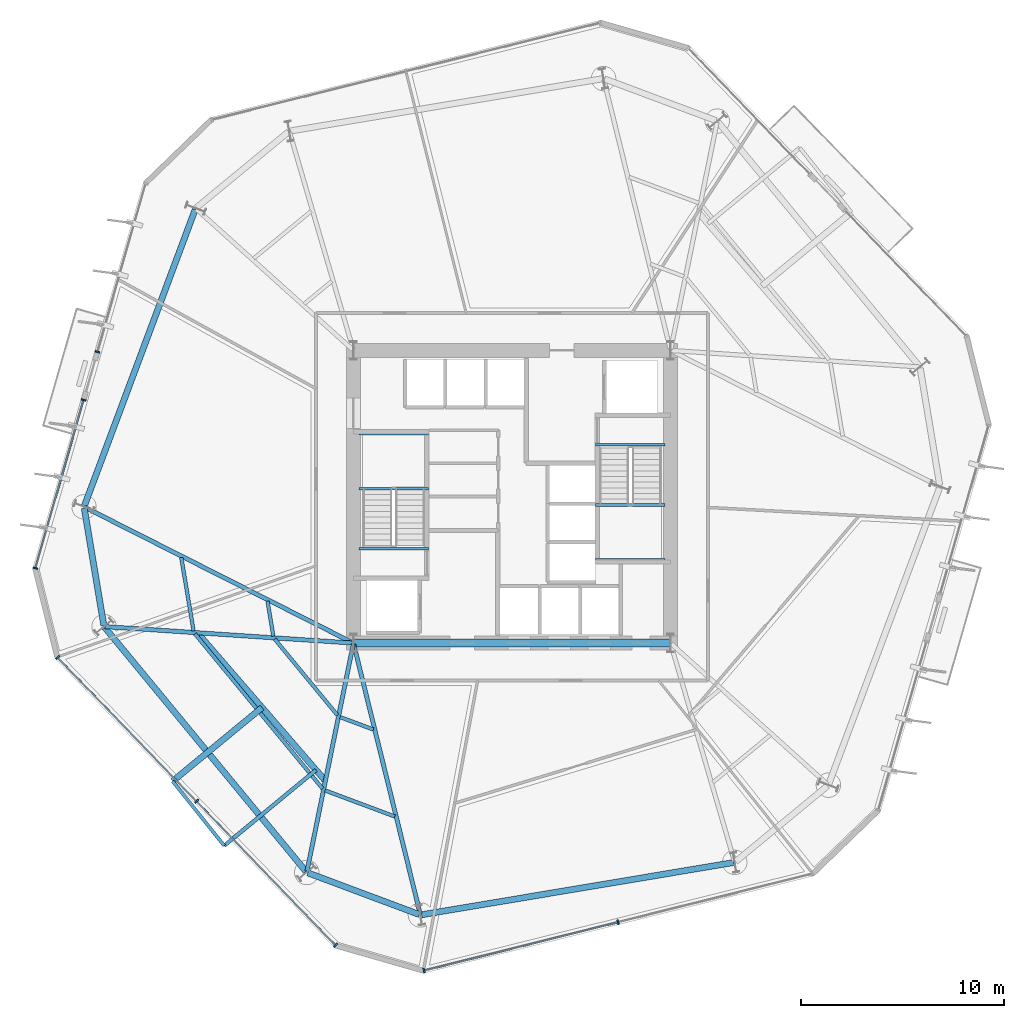
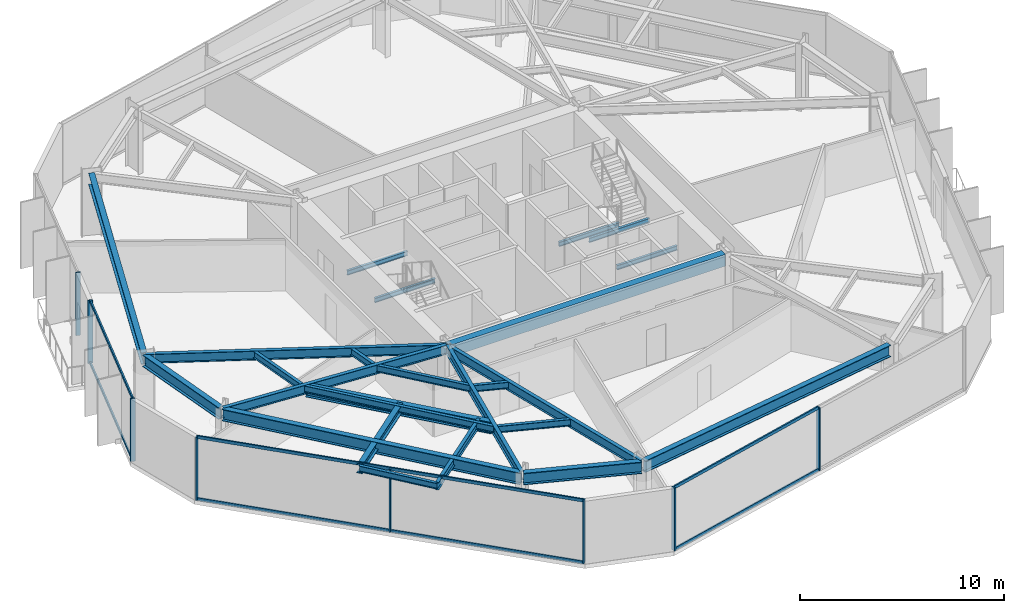
# One storey, part 2 of 10: 26 beams, 16 members, 4 elements without a shape of their own.
"""IFC4 building model written with IfcOpenShell, lengths in metres."""

from ifc_helpers import new_model, si_unit, direction, frame, origin, origin_2d, place, context, subcontext, project, spatial, rectangle, i_section, extrude, material, layer, layer_set, material_profile, profile_set, type_object, element, aggregate, save


model = new_model("IFC4")

# Units and contexts
model_context = context("Model", 3, precision=1e-05, world=origin(), true_north=direction((0.0, 1.0)))
body_context = subcontext(model_context, "Body", "Model", "MODEL_VIEW")
ifc_project = project(units=[si_unit("LENGTHUNIT", "METRE"), si_unit("AREAUNIT", "SQUARE_METRE"), si_unit("VOLUMEUNIT", "CUBIC_METRE"), si_unit("PLANEANGLEUNIT", "RADIAN"), si_unit("MASSUNIT", "GRAM", prefix="KILO")], contexts=[model_context])

# Site, building, storey
site_placement = place(None, origin())
site = spatial("IfcSite", under=ifc_project, at=site_placement, CompositionType="ELEMENT")
building_placement = place(site_placement, origin())
building = spatial("IfcBuilding", under=site, at=building_placement, Name="Kranzbogen Civic Tower", CompositionType="ELEMENT")
storey_placement = place(building_placement, frame((0.0, 0.0, 76.0)))
storey = spatial("IfcBuildingStorey", under=building, at=storey_placement, Name="L18", CompositionType="ELEMENT", Elevation=76.0)

# Beams
ifc_material_1 = material(Name="Steel S355", Category="steel")
ifc_material_profile_1 = material_profile(ifc_material_1, i_section(OverallWidth=0.18994140625, OverallDepth=0.449951171875, WebThickness=0.009521484375, FlangeThickness=0.0146484375, at=origin_2d()), Name="IPE 450")
ifc_profile_set_1 = profile_set([ifc_material_profile_1], Name="Steel S355")
beam_type_1 = type_object("IfcBeamType", Name="Braced Terrace Edge Beam IPE 450", PredefinedType="BEAM", material=ifc_profile_set_1)
beam_1_placement = place(storey_placement, frame((15.35791015625, 11.556884765625, 3.52490234375), z_axis=(-0.771570243404, -0.636144134213, 0.0), x_axis=(0.636144134213, -0.771570243404, 0.0)))
element("IfcBeam", 1, at=beam_1_placement, inside=storey, type_object=beam_type_1, Name="L19 back-spanned terrace beam L19-TB2-2", PredefinedType="BEAM", context=body_context, shape_type="SweptSolid", body=[
    extrude(i_section(OverallWidth=0.18994140625, OverallDepth=0.449951171875, WebThickness=0.009521484375, FlangeThickness=0.0146484375, at=origin_2d()), origin(), (0.0, 0.0, 1.0), 5.85546875),
])
ifc_material_2 = material(Name="Concrete C40/50", Category="concrete")
ifc_material_profile_2 = material_profile(ifc_material_2, rectangle(XDim=0.39990234375, YDim=0.699951171875, at=origin_2d()), Name="RC-BM 400x700")
ifc_profile_set_2 = profile_set([ifc_material_profile_2], Name="Concrete C40/50")
beam_type_2 = type_object("IfcBeamType", Name="Core Coupling Lintel Beam 400x700", PredefinedType="LINTEL", material=ifc_profile_set_2)
beam_2_placement = place(storey_placement, frame((17.199951171875, 17.800048828125, 3.409912109375), z_axis=(1.0, 0.0, 0.0), x_axis=(0.0, 1.0, 0.0)))
element("IfcBeam", 2, at=beam_2_placement, inside=storey, type_object=beam_type_2, Name="L18 core South coupling lintel beam", PredefinedType="LINTEL", context=body_context, shape_type="SweptSolid", body=[
    extrude(rectangle(XDim=0.39990234375, YDim=0.699951171875, at=origin_2d()), origin(), (0.0, 0.0, 1.0), 15.60009765625),
])

# Curtain wall, member
ifc_material_3 = material(Name="Pale Anodised Aluminium", Category="aluminium")
ifc_layer = layer(ifc_material_3, 0.219970703125, Name="Pale Anodised Aluminium")
ifc_layer_set = layer_set([ifc_layer], Name="Pale Anodised Aluminium")
curtain_wall_type = type_object("IfcCurtainWallType", Name="Zone 1 Stick Curtain Wall System CW-02", PredefinedType="USERDEFINED", material=ifc_layer_set)
curtain_wall_1_placement = place(storey_placement, origin())
curtain_wall_1 = element("IfcCurtainWall", 3, at=curtain_wall_1_placement, inside=storey, type_object=curtain_wall_type, Name="L18 curtain wall CW-L18-F3-S1", ObjectType="STICK CURTAIN WALL", PredefinedType="USERDEFINED")
ifc_material_profile_3 = material_profile(ifc_material_3, rectangle(XDim=0.080078125, YDim=0.239990234375, at=origin_2d()), Name="ALU-M 80x240")
ifc_profile_set_3 = profile_set([ifc_material_profile_3], Name="Pale Anodised Aluminium")
member_type_1 = type_object("IfcMemberType", Name="Curtain Wall Mullion ALU-M 80x240", PredefinedType="MULLION", material=ifc_profile_set_3)
member_1_placement = place(storey_placement, frame((4.601318359375, 32.1298828125, 0.0), z_axis=(0.0, 0.0, 1.0), x_axis=(-0.275741488454, -0.961231830281, 0.0)))
member_1 = element("IfcMember", 4, at=member_1_placement, type_object=member_type_1, Name="CW-02 mullion 2", PredefinedType="MULLION", context=body_context, shape_type="SweptSolid", body=[
    extrude(rectangle(XDim=0.080078125, YDim=0.239990234375, at=origin_2d()), origin(), (0.0, 0.0, 1.0), 3.760009765625),
])
aggregate(curtain_wall_1, [member_1])

# Curtain wall, members
curtain_wall_2_placement = place(storey_placement, origin())
curtain_wall_2 = element("IfcCurtainWall", 5, at=curtain_wall_2_placement, inside=storey, type_object=curtain_wall_type, Name="L18 curtain wall CW-L18-F3-S2", ObjectType="STICK CURTAIN WALL", PredefinedType="USERDEFINED")
member_2_placement = place(storey_placement, frame((3.923828125, 29.76513671875, 0.0), z_axis=(0.0, 0.0, 1.0), x_axis=(-0.275680367436, -0.961249361514, 0.0)))
member_2 = element("IfcMember", 6, at=member_2_placement, type_object=member_type_1, Name="CW-02 mullion 1", PredefinedType="MULLION", context=body_context, shape_type="SweptSolid", body=[
    extrude(rectangle(XDim=0.080078125, YDim=0.239990234375, at=origin_2d()), origin(), (0.0, 0.0, 1.0), 3.760009765625),
])
member_3_placement = place(storey_placement, frame((1.54931640625, 21.48583984375, 0.0), z_axis=(0.0, 0.0, 1.0), x_axis=(-0.275680367436, -0.961249361514, 0.0)))
member_3 = element("IfcMember", 7, at=member_3_placement, type_object=member_type_1, Name="CW-02 mullion 2", PredefinedType="MULLION", context=body_context, shape_type="SweptSolid", body=[
    extrude(rectangle(XDim=0.080078125, YDim=0.239990234375, at=origin_2d()), origin(), (0.0, 0.0, 1.0), 3.760009765625),
])

curtain_wall_3_placement = place(storey_placement, origin())
curtain_wall_3 = element("IfcCurtainWall", 8, at=curtain_wall_3_placement, inside=storey, type_object=curtain_wall_type, Name="L18 curtain wall CW-L18-F4", ObjectType="STICK CURTAIN WALL", PredefinedType="USERDEFINED")
member_4_placement = place(storey_placement, frame((2.644775390625, 17.094482421875, 0.0), z_axis=(0.0, 0.0, 1.0), x_axis=(0.694666817752, -0.719331642787, 0.0)))
member_4 = element("IfcMember", 9, at=member_4_placement, type_object=member_type_1, Name="CW-02 mullion 1", PredefinedType="MULLION", context=body_context, shape_type="SweptSolid", body=[
    extrude(rectangle(XDim=0.080078125, YDim=0.239990234375, at=origin_2d()), origin(), (0.0, 0.0, 1.0), 3.760009765625),
])
member_5_placement = place(storey_placement, frame((9.48193359375, 10.014404296875, 0.0), z_axis=(0.0, 0.0, 1.0), x_axis=(0.694666817752, -0.719331642787, 0.0)))
member_5 = element("IfcMember", 10, at=member_5_placement, type_object=member_type_1, Name="CW-02 mullion 2", PredefinedType="MULLION", context=body_context, shape_type="SweptSolid", body=[
    extrude(rectangle(XDim=0.080078125, YDim=0.239990234375, at=origin_2d()), origin(), (0.0, 0.0, 1.0), 3.760009765625),
])
member_6_placement = place(storey_placement, frame((16.319091796875, 2.9345703125, 0.0), z_axis=(0.0, 0.0, 1.0), x_axis=(0.694666817752, -0.719331642787, 0.0)))
member_6 = element("IfcMember", 11, at=member_6_placement, type_object=member_type_1, Name="CW-02 mullion 3", PredefinedType="MULLION", context=body_context, shape_type="SweptSolid", body=[
    extrude(rectangle(XDim=0.080078125, YDim=0.239990234375, at=origin_2d()), origin(), (0.0, 0.0, 1.0), 3.760009765625),
])

curtain_wall_4_placement = place(storey_placement, origin())
curtain_wall_4 = element("IfcCurtainWall", 12, at=curtain_wall_4_placement, inside=storey, type_object=curtain_wall_type, Name="L18 curtain wall CW-L18-F5", ObjectType="STICK CURTAIN WALL", PredefinedType="USERDEFINED")
member_7_placement = place(storey_placement, frame((20.669189453125, 1.687255859375, 0.0), z_axis=(0.0, 0.0, 1.0), x_axis=(0.970303166734, 0.241892051596, 0.0)))
member_7 = element("IfcMember", 13, at=member_7_placement, type_object=member_type_1, Name="CW-02 mullion 1", PredefinedType="MULLION", context=body_context, shape_type="SweptSolid", body=[
    extrude(rectangle(XDim=0.080078125, YDim=0.239990234375, at=origin_2d()), origin(), (0.0, 0.0, 1.0), 3.760009765625),
])
member_8_placement = place(storey_placement, frame((30.218994140625, 4.068115234375, 0.0), z_axis=(0.0, 0.0, 1.0), x_axis=(0.970303166734, 0.241892051596, 0.0)))
member_8 = element("IfcMember", 14, at=member_8_placement, type_object=member_type_1, Name="CW-02 mullion 2", PredefinedType="MULLION", context=body_context, shape_type="SweptSolid", body=[
    extrude(rectangle(XDim=0.080078125, YDim=0.239990234375, at=origin_2d()), origin(), (0.0, 0.0, 1.0), 3.760009765625),
])

# Member
ifc_material_profile_4 = material_profile(ifc_material_3, rectangle(XDim=0.080078125, YDim=0.179931640625, at=origin_2d()), Name="ALU-T 80x180")
ifc_profile_set_4 = profile_set([ifc_material_profile_4], Name="Pale Anodised Aluminium")
member_type_2 = type_object("IfcMemberType", Name="Curtain Wall Transom ALU-T 80x180", PredefinedType="USERDEFINED", material=ifc_profile_set_4)
member_9_placement = place(storey_placement, frame((3.91552734375, 29.736328125, 0.030029296875), z_axis=(-0.275678564205, -0.961249878667, 0.0), x_axis=(0.961249878667, -0.275678564205, 0.0)))
member_9 = element("IfcMember", 15, at=member_9_placement, type_object=member_type_2, Name="CW-02 transom 1.1", ObjectType="TRANSOM", PredefinedType="USERDEFINED", context=body_context, shape_type="SweptSolid", body=[
    extrude(rectangle(XDim=0.080078125, YDim=0.179931640625, at=origin_2d()), origin(), (0.0, 0.0, 1.0), 8.55322265625),
])

member_10_placement = place(storey_placement, frame((3.91552734375, 29.736328125, 3.72998046875), z_axis=(-0.275678564205, -0.961249878667, 0.0), x_axis=(0.961249878667, -0.275678564205, 0.0)))
member_10 = element("IfcMember", 16, at=member_10_placement, type_object=member_type_2, Name="CW-02 transom 1.2", ObjectType="TRANSOM", PredefinedType="USERDEFINED", context=body_context, shape_type="SweptSolid", body=[
    extrude(rectangle(XDim=0.080078125, YDim=0.179931640625, at=origin_2d()), origin(), (0.0, 0.0, 1.0), 8.55322265625),
])

aggregate(curtain_wall_2, [member_2, member_3, member_9, member_10])

member_11_placement = place(storey_placement, frame((2.665771484375, 17.07275390625, 0.030029296875), z_axis=(0.694670227413, -0.719328350022, 0.0), x_axis=(0.719328350022, 0.694670227413, 0.0)))
member_11 = element("IfcMember", 17, at=member_11_placement, type_object=member_type_2, Name="CW-02 transom 1.1", ObjectType="TRANSOM", PredefinedType="USERDEFINED", context=body_context, shape_type="SweptSolid", body=[
    extrude(rectangle(XDim=0.080078125, YDim=0.179931640625, at=origin_2d()), origin(), (0.0, 0.0, 1.0), 9.7822265625),
])

member_12_placement = place(storey_placement, frame((2.665771484375, 17.07275390625, 3.72998046875), z_axis=(0.694670227413, -0.719328350022, 0.0), x_axis=(0.719328350022, 0.694670227413, 0.0)))
member_12 = element("IfcMember", 18, at=member_12_placement, type_object=member_type_2, Name="CW-02 transom 1.2", ObjectType="TRANSOM", PredefinedType="USERDEFINED", context=body_context, shape_type="SweptSolid", body=[
    extrude(rectangle(XDim=0.080078125, YDim=0.179931640625, at=origin_2d()), origin(), (0.0, 0.0, 1.0), 9.7822265625),
])

member_13_placement = place(storey_placement, frame((9.5029296875, 9.992919921875, 0.030029296875), z_axis=(0.694657756313, -0.719340393412, 0.0), x_axis=(0.719340393412, 0.694657756313, 0.0)))
member_13 = element("IfcMember", 19, at=member_13_placement, type_object=member_type_2, Name="CW-02 transom 2.1", ObjectType="TRANSOM", PredefinedType="USERDEFINED", context=body_context, shape_type="SweptSolid", body=[
    extrude(rectangle(XDim=0.080078125, YDim=0.179931640625, at=origin_2d()), origin(), (0.0, 0.0, 1.0), 9.782470703125),
])

member_14_placement = place(storey_placement, frame((9.5029296875, 9.992919921875, 3.72998046875), z_axis=(0.694657756313, -0.719340393412, 0.0), x_axis=(0.719340393412, 0.694657756313, 0.0)))
member_14 = element("IfcMember", 20, at=member_14_placement, type_object=member_type_2, Name="CW-02 transom 2.2", ObjectType="TRANSOM", PredefinedType="USERDEFINED", context=body_context, shape_type="SweptSolid", body=[
    extrude(rectangle(XDim=0.080078125, YDim=0.179931640625, at=origin_2d()), origin(), (0.0, 0.0, 1.0), 9.782470703125),
])

aggregate(curtain_wall_3, [member_4, member_5, member_6, member_11, member_12, member_13, member_14])

member_15_placement = place(storey_placement, frame((20.6982421875, 1.694580078125, 0.030029296875), z_axis=(0.97030377581, 0.241889608394, 0.0), x_axis=(-0.241889608394, 0.97030377581, 0.0)))
member_15 = element("IfcMember", 21, at=member_15_placement, type_object=member_type_2, Name="CW-02 transom 1.1", ObjectType="TRANSOM", PredefinedType="USERDEFINED", context=body_context, shape_type="SweptSolid", body=[
    extrude(rectangle(XDim=0.080078125, YDim=0.179931640625, at=origin_2d()), origin(), (0.0, 0.0, 1.0), 9.7822265625),
])

member_16_placement = place(storey_placement, frame((20.6982421875, 1.694580078125, 3.72998046875), z_axis=(0.97030377581, 0.241889608394, 0.0), x_axis=(-0.241889608394, 0.97030377581, 0.0)))
member_16 = element("IfcMember", 22, at=member_16_placement, type_object=member_type_2, Name="CW-02 transom 1.2", ObjectType="TRANSOM", PredefinedType="USERDEFINED", context=body_context, shape_type="SweptSolid", body=[
    extrude(rectangle(XDim=0.080078125, YDim=0.179931640625, at=origin_2d()), origin(), (0.0, 0.0, 1.0), 9.7822265625),
])

aggregate(curtain_wall_4, [member_7, member_8, member_15, member_16])

# Beams
ifc_material_profile_5 = material_profile(ifc_material_1, i_section(OverallWidth=0.300048828125, OverallDepth=0.5, WebThickness=0.014404296875, FlangeThickness=0.028076171875, at=origin_2d()), Name="HEB 500")
ifc_profile_set_5 = profile_set([ifc_material_profile_5], Name="Steel S355")
beam_type_3 = type_object("IfcBeamType", Name="Perimeter Tube Spandrel Beam HEB 500", PredefinedType="SPANDREL", material=ifc_profile_set_5)
beam_3_placement = place(storey_placement, frame((12.700927734375, 14.62890625, 3.5), z_axis=(-0.771778064149, -0.635891987446, 0.0), x_axis=(0.635891987446, -0.771778064149, 0.0)))
element("IfcBeam", 23, at=beam_3_placement, inside=storey, type_object=beam_type_3, Name="L19 back-spanned terrace beam L19-TB2-1", PredefinedType="SPANDREL", context=body_context, shape_type="SweptSolid", body=[
    extrude(i_section(OverallWidth=0.300048828125, OverallDepth=0.5, WebThickness=0.014404296875, FlangeThickness=0.028076171875, at=origin_2d()), origin(), (0.0, 0.0, 1.0), 5.697265625),
])
ifc_material_profile_6 = material_profile(ifc_material_1, i_section(OverallWidth=0.300048828125, OverallDepth=0.699951171875, WebThickness=0.01708984375, FlangeThickness=0.031982421875, at=origin_2d()), Name="HEB 700")
ifc_profile_set_6 = profile_set([ifc_material_profile_6], Name="Steel S355")
beam_type_4 = type_object("IfcBeamType", Name="Perimeter Tube Spandrel Beam HEB 700", PredefinedType="SPANDREL", material=ifc_profile_set_6)
beam_4_placement = place(storey_placement, frame((3.952880859375, 24.445068359375, 3.409912109375), z_axis=(0.164913116942, -0.986308097838, 0.0), x_axis=(0.986308097838, 0.164913116942, 0.0)))
element("IfcBeam", 24, at=beam_4_placement, inside=storey, type_object=beam_type_4, Name="L18 perimeter spandrel beam 01", PredefinedType="SPANDREL", context=body_context, shape_type="SweptSolid", body=[
    extrude(i_section(OverallWidth=0.300048828125, OverallDepth=0.699951171875, WebThickness=0.01708984375, FlangeThickness=0.031982421875, at=origin_2d()), origin(), (0.0, 0.0, 1.0), 5.85205078125),
])
beam_5_placement = place(storey_placement, frame((4.966064453125, 18.568115234375, 3.409912109375), z_axis=(0.636074572579, -0.771627590304, 0.0), x_axis=(0.771627590304, 0.636074572579, 0.0)))
element("IfcBeam", 25, at=beam_5_placement, inside=storey, type_object=beam_type_4, Name="L18 perimeter spandrel beam 02", PredefinedType="SPANDREL", context=body_context, shape_type="SweptSolid", body=[
    extrude(i_section(OverallWidth=0.300048828125, OverallDepth=0.699951171875, WebThickness=0.01708984375, FlangeThickness=0.031982421875, at=origin_2d()), origin(), (0.0, 0.0, 1.0), 15.5595703125),
])
beam_6_placement = place(storey_placement, frame((14.95703125, 6.4951171875, 3.409912109375), z_axis=(0.936647646965, -0.350273015568, 0.0), x_axis=(0.350273015568, 0.936647646965, 0.0)))
element("IfcBeam", 26, at=beam_6_placement, inside=storey, type_object=beam_type_4, Name="L18 perimeter spandrel beam 03", PredefinedType="SPANDREL", context=body_context, shape_type="SweptSolid", body=[
    extrude(i_section(OverallWidth=0.300048828125, OverallDepth=0.699951171875, WebThickness=0.01708984375, FlangeThickness=0.031982421875, at=origin_2d()), origin(), (0.0, 0.0, 1.0), 5.852783203125),
])
beam_7_placement = place(storey_placement, frame((20.553955078125, 4.43408203125, 3.409912109375), z_axis=(0.986285563243, 0.165047834697, 0.0), x_axis=(-0.165047834697, 0.986285563243, 0.0)))
element("IfcBeam", 27, at=beam_7_placement, inside=storey, type_object=beam_type_4, Name="L18 perimeter spandrel beam 04", PredefinedType="SPANDREL", context=body_context, shape_type="SweptSolid", body=[
    extrude(i_section(OverallWidth=0.300048828125, OverallDepth=0.699951171875, WebThickness=0.01708984375, FlangeThickness=0.031982421875, at=origin_2d()), origin(), (0.0, 0.0, 1.0), 15.558349609375),
])
beam_8_placement = place(storey_placement, frame((9.412109375, 39.133056640625, 3.409912109375), z_axis=(-0.350172267932, -0.936685316833, 0.0), x_axis=(0.936685316833, -0.350172267932, 0.0)))
element("IfcBeam", 28, at=beam_8_placement, inside=storey, type_object=beam_type_4, Name="L18 perimeter spandrel beam 12", PredefinedType="SPANDREL", context=body_context, shape_type="SweptSolid", body=[
    extrude(i_section(OverallWidth=0.300048828125, OverallDepth=0.699951171875, WebThickness=0.01708984375, FlangeThickness=0.031982421875, at=origin_2d()), origin(), (0.0, 0.0, 1.0), 15.55810546875),
])
beam_9_placement = place(storey_placement, frame((9.51806640625, 18.31005859375, 3.39990234375), z_axis=(0.654072384898, -0.75643196344, 0.0), x_axis=(0.75643196344, 0.654072384898, 0.0)))
element("IfcBeam", 29, at=beam_9_placement, inside=storey, type_object=beam_type_4, Name="L19 balcony back-span header girder L19-TB2", PredefinedType="SPANDREL", context=body_context, shape_type="SweptSolid", body=[
    extrude(i_section(OverallWidth=0.300048828125, OverallDepth=0.699951171875, WebThickness=0.01708984375, FlangeThickness=0.031982421875, at=origin_2d()), origin(), (0.0, 0.0, 1.0), 9.633544921875),
])
ifc_material_profile_7 = material_profile(ifc_material_1, i_section(OverallWidth=0.2099609375, OverallDepth=0.550048828125, WebThickness=0.010986328125, FlangeThickness=0.01708984375, at=origin_2d()), Name="IPE 550")
ifc_profile_set_7 = profile_set([ifc_material_profile_7], Name="Steel S355")
beam_type_5 = type_object("IfcBeamType", Name="Radial Tower Floor Girder IPE 550", PredefinedType="BEAM", material=ifc_profile_set_7)
beam_10_placement = place(storey_placement, frame((3.9970703125, 24.47705078125, 3.485107421875), z_axis=(0.892363219254, -0.451317942168, 0.0), x_axis=(0.451317942168, 0.892363219254, 0.0)))
element("IfcBeam", 30, at=beam_10_placement, inside=storey, type_object=beam_type_5, Name="L18 radial floor girder 01", PredefinedType="BEAM", context=body_context, shape_type="SweptSolid", body=[
    extrude(i_section(OverallWidth=0.2099609375, OverallDepth=0.550048828125, WebThickness=0.010986328125, FlangeThickness=0.01708984375, at=origin_2d()), origin(), (0.0, 0.0, 1.0), 14.73486328125),
])
beam_11_placement = place(storey_placement, frame((4.988037109375, 18.610107421875, 3.485107421875), z_axis=(0.99780674843, -0.066194356156, 0.0), x_axis=(0.066194356156, 0.99780674843, 0.0)))
element("IfcBeam", 31, at=beam_11_placement, inside=storey, type_object=beam_type_5, Name="L18 radial floor girder 02", PredefinedType="BEAM", context=body_context, shape_type="SweptSolid", body=[
    extrude(i_section(OverallWidth=0.2099609375, OverallDepth=0.550048828125, WebThickness=0.010986328125, FlangeThickness=0.01708984375, at=origin_2d()), origin(), (0.0, 0.0, 1.0), 12.178466796875),
])
beam_12_placement = place(storey_placement, frame((14.9130859375, 6.574951171875, 3.485107421875), z_axis=(0.199633433694, 0.979870650725, 0.0), x_axis=(-0.979870650725, 0.199633433694, 0.0)))
element("IfcBeam", 32, at=beam_12_placement, inside=storey, type_object=beam_type_5, Name="L18 radial floor girder 03", PredefinedType="BEAM", context=body_context, shape_type="SweptSolid", body=[
    extrude(i_section(OverallWidth=0.2099609375, OverallDepth=0.550048828125, WebThickness=0.010986328125, FlangeThickness=0.01708984375, at=origin_2d()), origin(), (0.0, 0.0, 1.0), 11.3955078125),
])
beam_13_placement = place(storey_placement, frame((20.48095703125, 4.48193359375, 3.485107421875), z_axis=(-0.239215348776, 0.970966537482, 0.0), x_axis=(-0.970966537482, -0.239215348776, 0.0)))
element("IfcBeam", 33, at=beam_13_placement, inside=storey, type_object=beam_type_5, Name="L18 radial floor girder 04", PredefinedType="BEAM", context=body_context, shape_type="SweptSolid", body=[
    extrude(i_section(OverallWidth=0.2099609375, OverallDepth=0.550048828125, WebThickness=0.010986328125, FlangeThickness=0.01708984375, at=origin_2d()), origin(), (0.0, 0.0, 1.0), 13.656494140625),
])
ifc_material_profile_8 = material_profile(ifc_material_1, i_section(OverallWidth=0.169921875, OverallDepth=0.360107421875, WebThickness=0.008056640625, FlangeThickness=0.0126953125, at=origin_2d()), Name="IPE 360")
ifc_profile_set_8 = profile_set([ifc_material_profile_8], Name="Steel S355")
beam_type_6 = type_object("IfcBeamType", Name="Secondary Composite Floor Joist IPE 360", PredefinedType="JOIST", material=ifc_profile_set_8)
beam_14_placement = place(storey_placement, frame((8.303955078125, 11.006103515625, 3.570068359375), z_axis=(0.624225931482, -0.781243871313, 0.0), x_axis=(0.781243871313, 0.624225931482, 0.0)))
element("IfcBeam", 34, at=beam_14_placement, inside=storey, type_object=beam_type_6, Name="L19 terrace outer edge trimmer L19-TB2", PredefinedType="JOIST", context=body_context, shape_type="SweptSolid", body=[
    extrude(i_section(OverallWidth=0.169921875, OverallDepth=0.360107421875, WebThickness=0.008056640625, FlangeThickness=0.0126953125, at=origin_2d()), origin(), (0.0, 0.0, 1.0), 4.062744140625),
])
ifc_material_profile_9 = material_profile(ifc_material_1, i_section(OverallWidth=0.179931640625, OverallDepth=0.39990234375, WebThickness=0.008544921875, FlangeThickness=0.013427734375, at=origin_2d()), Name="IPE 400")
ifc_profile_set_9 = profile_set([ifc_material_profile_9], Name="Steel S355")
beam_type_7 = type_object("IfcBeamType", Name="Secondary Composite Floor Joist IPE 400", PredefinedType="JOIST", material=ifc_profile_set_9)
beam_15_placement = place(storey_placement, frame((8.72900390625, 22.011962890625, 3.56005859375), z_axis=(0.164928678379, -0.986305495802, 0.0), x_axis=(0.986305495802, 0.164928678379, 0.0)))
element("IfcBeam", 35, at=beam_15_placement, inside=storey, type_object=beam_type_7, Name="L18 secondary floor joist 1.01", PredefinedType="JOIST", context=body_context, shape_type="SweptSolid", body=[
    extrude(i_section(OverallWidth=0.179931640625, OverallDepth=0.39990234375, WebThickness=0.008544921875, FlangeThickness=0.013427734375, at=origin_2d()), origin(), (0.0, 0.0, 1.0), 3.662109375),
])
beam_16_placement = place(storey_placement, frame((12.970947265625, 19.865966796875, 3.56005859375), z_axis=(0.165077224104, -0.986280644686, 0.0), x_axis=(0.986280644686, 0.165077224104, 0.0)))
element("IfcBeam", 36, at=beam_16_placement, inside=storey, type_object=beam_type_7, Name="L18 secondary floor joist 2.01", PredefinedType="JOIST", context=body_context, shape_type="SweptSolid", body=[
    extrude(i_section(OverallWidth=0.179931640625, OverallDepth=0.39990234375, WebThickness=0.008544921875, FlangeThickness=0.013427734375, at=origin_2d()), origin(), (0.0, 0.0, 1.0), 1.7509765625),
])
beam_17_placement = place(storey_placement, frame((9.39697265625, 18.259033203125, 3.56005859375), z_axis=(0.636094561772, -0.771611112209, 0.0), x_axis=(0.771611112209, 0.636094561772, 0.0)))
element("IfcBeam", 37, at=beam_17_placement, inside=storey, type_object=beam_type_7, Name="L18 secondary floor joist 1.02", PredefinedType="JOIST", context=body_context, shape_type="SweptSolid", body=[
    extrude(i_section(OverallWidth=0.179931640625, OverallDepth=0.39990234375, WebThickness=0.008544921875, FlangeThickness=0.013427734375, at=origin_2d()), origin(), (0.0, 0.0, 1.0), 9.874267578125),
])
beam_18_placement = place(storey_placement, frame((13.323974609375, 17.9990234375, 3.56005859375), z_axis=(0.636012010413, -0.771679157818, 0.0), x_axis=(0.771679157818, 0.636012010413, 0.0)))
element("IfcBeam", 38, at=beam_18_placement, inside=storey, type_object=beam_type_7, Name="L18 secondary floor joist 2.02", PredefinedType="JOIST", context=body_context, shape_type="SweptSolid", body=[
    extrude(i_section(OverallWidth=0.179931640625, OverallDepth=0.39990234375, WebThickness=0.008544921875, FlangeThickness=0.013427734375, at=origin_2d()), origin(), (0.0, 0.0, 1.0), 4.85693359375),
])
beam_19_placement = place(storey_placement, frame((15.803955078125, 10.550048828125, 3.56005859375), z_axis=(0.936622008794, -0.350341565678, 0.0), x_axis=(0.350341565678, 0.936622008794, 0.0)))
element("IfcBeam", 39, at=beam_19_placement, inside=storey, type_object=beam_type_7, Name="L18 secondary floor joist 1.03", PredefinedType="JOIST", context=body_context, shape_type="SweptSolid", body=[
    extrude(i_section(OverallWidth=0.179931640625, OverallDepth=0.39990234375, WebThickness=0.008544921875, FlangeThickness=0.013427734375, at=origin_2d()), origin(), (0.0, 0.0, 1.0), 3.662109375),
])
beam_20_placement = place(storey_placement, frame((16.5390625, 14.160888671875, 3.56005859375), z_axis=(0.936735458815, -0.350038112495, 0.0), x_axis=(0.350038112495, 0.936735458815, 0.0)))
element("IfcBeam", 40, at=beam_20_placement, inside=storey, type_object=beam_type_7, Name="L18 secondary floor joist 2.03", PredefinedType="JOIST", context=body_context, shape_type="SweptSolid", body=[
    extrude(i_section(OverallWidth=0.179931640625, OverallDepth=0.39990234375, WebThickness=0.008544921875, FlangeThickness=0.013427734375, at=origin_2d()), origin(), (0.0, 0.0, 1.0), 1.750732421875),
])
ifc_material_profile_10 = material_profile(ifc_material_1, i_section(OverallWidth=0.135009765625, OverallDepth=0.27001953125, WebThickness=0.006591796875, FlangeThickness=0.01025390625, at=origin_2d()), Name="IPE 270")
ifc_profile_set_10 = profile_set([ifc_material_profile_10], Name="Steel S355")
beam_type_8 = type_object("IfcBeamType", Name="Stair Landing Support Beam IPE 270", PredefinedType="JOIST", material=ifc_profile_set_10)
for number, where, z_axis, x_axis, name in (
    (41, (20.8798828125, 22.43994140625, -0.375), (-1.0, 0.0, 0.0), (0.0, -1.0, 0.0), "L18 ST-T1 stair floor header beam"),
    (42, (20.8798828125, 25.39990234375, 1.6650390625), (-1.0, 0.0, 0.0), (0.0, -1.0, 0.0), "L18 ST-T1 landing support beam 1.1"),
    (43, (20.8798828125, 28.10009765625, 1.6650390625), (-1.0, 0.0, 0.0), (0.0, -1.0, 0.0), "L18 ST-T1 landing support beam 1.2"),
    (44, (29.1201171875, 27.56005859375, -0.375), (1.0, 0.0, 0.0), (0.0, 1.0, 0.0), "L18 ST-T2 stair floor header beam"),
    (45, (29.1201171875, 24.60009765625, 1.6650390625), (1.0, 0.0, 0.0), (0.0, 1.0, 0.0), "L18 ST-T2 landing support beam 1.1"),
    (46, (29.1201171875, 21.89990234375, 1.6650390625), (1.0, 0.0, 0.0), (0.0, 1.0, 0.0), "L18 ST-T2 landing support beam 1.2"),
):
    element("IfcBeam", number, at=place(storey_placement, frame(where, z_axis=z_axis, x_axis=x_axis)), inside=storey, type_object=beam_type_8, Name=name, PredefinedType="JOIST", context=body_context, shape_type="SweptSolid", body=[
        extrude(i_section(OverallWidth=0.135009765625, OverallDepth=0.27001953125, WebThickness=0.006591796875, FlangeThickness=0.01025390625, at=origin_2d()), origin(), (0.0, 0.0, 1.0), 3.409912109375),
    ])

save(model, "model.ifc")
